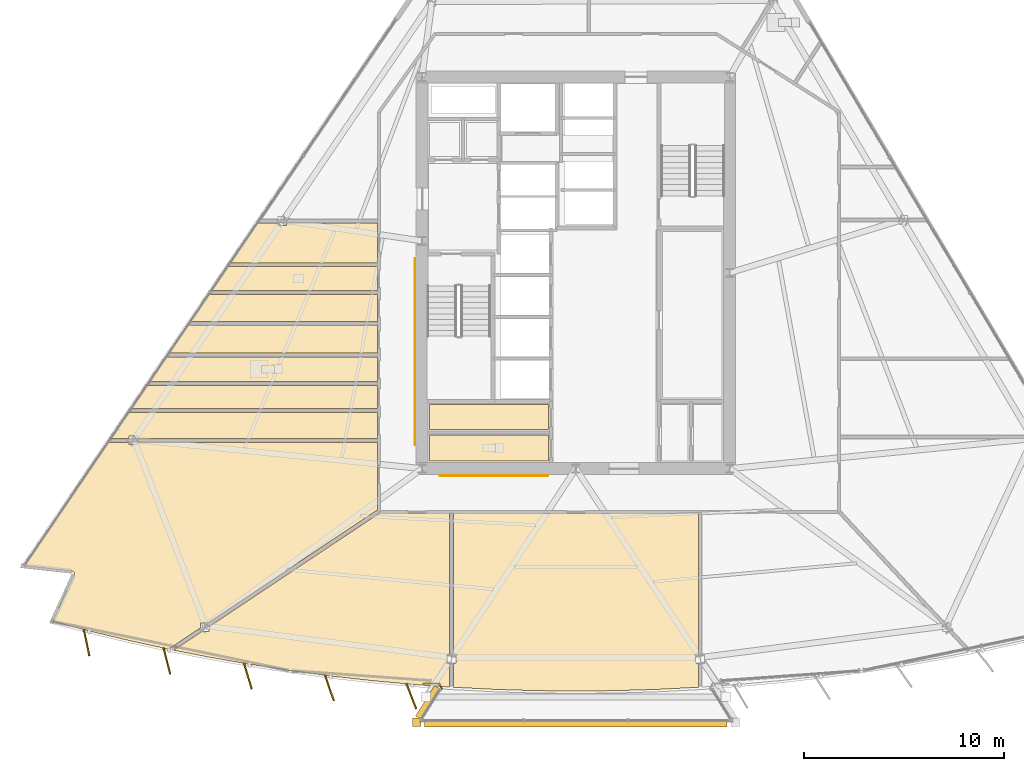
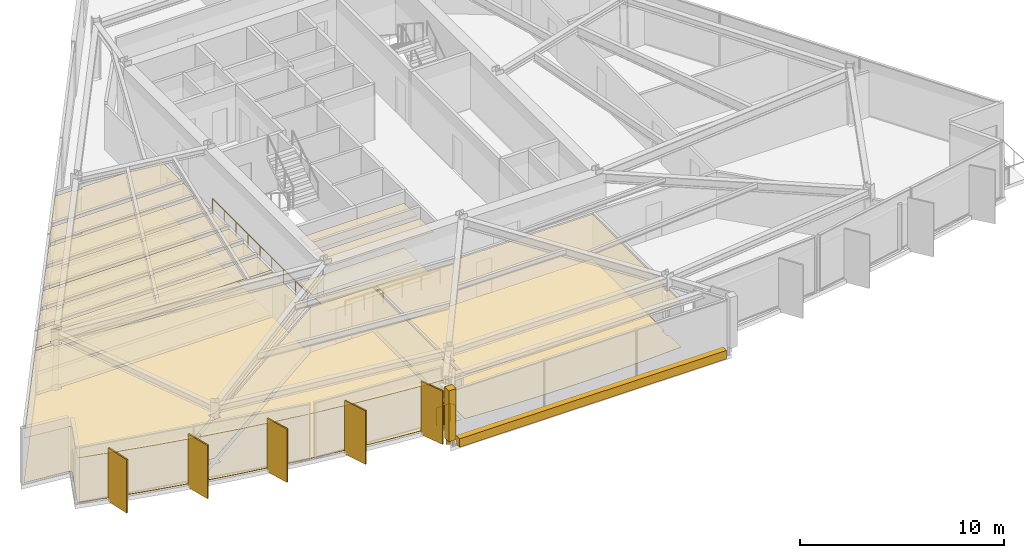
# One storey, part 11 of 15: 27 coverings, 5 shading devices, 3 railings.
"""IFC4 building model written with IfcOpenShell, lengths in metres."""

from ifc_helpers import new_model, si_unit, direction, frame, origin, origin_2d, place, context, subcontext, project, spatial, polyline, rectangle, circle, outline, extrude, material, layer, layer_set, type_object, element, save


model = new_model("IFC4")

# Units and contexts
model_context = context("Model", 3, precision=1e-05, world=origin(), true_north=direction((0.0, 1.0)))
body_context = subcontext(model_context, "Body", "Model", "MODEL_VIEW")
ifc_project = project(units=[si_unit("LENGTHUNIT", "METRE"), si_unit("AREAUNIT", "SQUARE_METRE"), si_unit("VOLUMEUNIT", "CUBIC_METRE"), si_unit("PLANEANGLEUNIT", "RADIAN"), si_unit("MASSUNIT", "GRAM", prefix="KILO")], contexts=[model_context])

# Site, building, storey
site_placement = place(None, origin())
site = spatial("IfcSite", under=ifc_project, at=site_placement, CompositionType="ELEMENT")
building_placement = place(site_placement, origin())
building = spatial("IfcBuilding", under=site, at=building_placement, Name="Savorim Split Tower", CompositionType="ELEMENT")
storey_placement = place(building_placement, frame((0.0, 0.0, 114.89990234375)))
storey = spatial("IfcBuildingStorey", under=building, at=storey_placement, Name="L30", CompositionType="ELEMENT", Elevation=114.89990234375)

# Coverings
ifc_material_1 = material(Name="Mineral Fibre Acoustic Ceiling")
ifc_layer_1 = layer(ifc_material_1, 0.02490234375)
ifc_layer_set_1 = layer_set([ifc_layer_1], Name="COV-CEIL-25")
covering_type_1 = type_object("IfcCoveringType", Name="COV-CEIL-25", PredefinedType="CEILING", material=ifc_layer_set_1)
covering_1_placement = place(storey_placement, frame((0.0, 0.0, 2.670166015625)))
element("IfcCovering", 1, at=covering_1_placement, inside=storey, type_object=covering_type_1, Name="L30 Cleaning Store Acoustic Ceiling", PredefinedType="CEILING", context=body_context, shape_type="SweptSolid", body=[
    extrude(outline(polyline([(-7.320068359375, -6.179931640625), (-7.320068359375, -7.43994140625), (-1.3798828125, -7.43994140625), (-1.3798828125, -6.179931640625), (-7.320068359375, -6.179931640625)])), origin(), (0.0, 0.0, 1.0), 0.02490234375),
])
covering_2_placement = place(storey_placement, frame((0.0, 0.0, 2.670166015625)))
element("IfcCovering", 2, at=covering_2_placement, inside=storey, type_object=covering_type_1, Name="L30 Public WC Acoustic Ceiling", PredefinedType="CEILING", context=body_context, shape_type="SweptSolid", body=[
    extrude(outline(polyline([(-7.320068359375, -7.719970703125), (-7.320068359375, -9.02001953125), (-1.3798828125, -9.02001953125), (-1.3798828125, -7.719970703125), (-7.320068359375, -7.719970703125)])), origin(), (0.0, 0.0, 1.0), 0.02490234375),
])
covering_3_placement = place(storey_placement, frame((0.0, 0.0, 2.670166015625)))
element("IfcCovering", 3, at=covering_3_placement, inside=storey, type_object=covering_type_1, Name="L30 Shared Kitchen Acoustic Ceiling", PredefinedType="CEILING", context=body_context, shape_type="SweptSolid", body=[
    extrude(outline(polyline([(-17.422607421875, 0.703369140625), (-18.23974609375, -0.49755859375), (-9.919921875, -0.49755859375), (-9.919921875, 0.703369140625), (-17.422607421875, 0.703369140625)])), origin(), (0.0, 0.0, 1.0), 0.02490234375),
])
covering_4_placement = place(storey_placement, frame((0.0, 0.0, 2.670166015625)))
element("IfcCovering", 4, at=covering_4_placement, inside=storey, type_object=covering_type_1, Name="L30 Maker Workshop Acoustic Ceiling", PredefinedType="CEILING", context=body_context, shape_type="SweptSolid", body=[
    extrude(outline(polyline([(-18.368896484375, -0.6875), (-19.285400390625, -2.034912109375), (-9.919921875, -2.034912109375), (-9.919921875, -0.6875), (-18.368896484375, -0.6875)])), origin(), (0.0, 0.0, 1.0), 0.02490234375),
])
covering_5_placement = place(storey_placement, frame((0.0, 0.0, 2.670166015625)))
element("IfcCovering", 5, at=covering_5_placement, inside=storey, type_object=covering_type_1, Name="L30 Quiet Study Room Acoustic Ceiling", PredefinedType="CEILING", context=body_context, shape_type="SweptSolid", body=[
    extrude(outline(polyline([(-19.414794921875, -2.224853515625), (-20.3583984375, -3.612060546875), (-9.919921875, -3.612060546875), (-9.919921875, -2.224853515625), (-19.414794921875, -2.224853515625)])), origin(), (0.0, 0.0, 1.0), 0.02490234375),
])
covering_6_placement = place(storey_placement, frame((0.0, 0.0, 2.670166015625)))
element("IfcCovering", 6, at=covering_6_placement, inside=storey, type_object=covering_type_1, Name="L30 Shared Bathroom Acoustic Ceiling", PredefinedType="CEILING", context=body_context, shape_type="SweptSolid", body=[
    extrude(outline(polyline([(-20.487548828125, -3.802001953125), (-21.32861328125, -5.038330078125), (-9.919921875, -5.038330078125), (-9.919921875, -3.802001953125), (-20.487548828125, -3.802001953125)])), origin(), (0.0, 0.0, 1.0), 0.02490234375),
])
covering_7_placement = place(storey_placement, frame((0.0, 0.0, 2.670166015625)))
element("IfcCovering", 7, at=covering_7_placement, inside=storey, type_object=covering_type_1, Name="L30 Maker Workshop Acoustic Ceiling", PredefinedType="CEILING", context=body_context, shape_type="SweptSolid", body=[
    extrude(outline(polyline([(-21.4580078125, -5.228515625), (-22.249267578125, -6.3916015625), (-9.919921875, -6.3916015625), (-9.919921875, -5.228515625), (-21.4580078125, -5.228515625)])), origin(), (0.0, 0.0, 1.0), 0.02490234375),
])
covering_8_placement = place(storey_placement, frame((0.0, 0.0, 2.670166015625)))
element("IfcCovering", 8, at=covering_8_placement, inside=storey, type_object=covering_type_1, Name="L30 Quiet Study Room Acoustic Ceiling", PredefinedType="CEILING", context=body_context, shape_type="SweptSolid", body=[
    extrude(outline(polyline([(-21.944091796875, -7.768310546875), (-21.944091796875, -7.891357421875), (-9.919921875, -7.891357421875), (-9.919921875, -6.581787109375), (-22.378662109375, -6.581787109375), (-23.26953125, -7.891357421875), (-22.3701171875, -7.891357421875), (-22.3701171875, -7.768310546875), (-21.944091796875, -7.768310546875)])), origin(), (0.0, 0.0, 1.0), 0.02490234375),
])
covering_9_placement = place(storey_placement, frame((0.0, 0.0, 2.670166015625)))
element("IfcCovering", 9, at=covering_9_placement, inside=storey, type_object=covering_type_1, Name="L30 Maker Workshop Acoustic Ceiling", PredefinedType="CEILING", context=body_context, shape_type="SweptSolid", body=[
    extrude(outline(polyline([(-25.099609375, -14.64453125), (-25.099365234375, -14.656494140625), (-25.100341796875, -14.66845703125), (-25.1025390625, -14.68017578125), (-25.105712890625, -14.691650390625), (-25.1103515625, -14.70263671875), (-26.186279296875, -17.044921875), (-24.34130859375, -17.52734375), (-22.348876953125, -18.005126953125), (-20.34716796875, -18.44189453125), (-20.287841796875, -18.45361328125), (-20.327392578125, -18.39453125), (-18.777099609375, -17.361572265625), (-18.777099609375, -17.11572265625), (-18.408203125, -17.11572265625), (-9.948974609375, -11.478515625), (-9.919921875, -11.459228515625), (-9.919921875, -8.081298828125), (-21.944091796875, -8.081298828125), (-21.944091796875, -8.204345703125), (-22.3701171875, -8.204345703125), (-22.3701171875, -8.081298828125), (-23.273681640625, -8.081298828125), (-23.36865234375, -8.081298828125), (-23.36865234375, -8.037109375), (-27.605712890625, -14.265380859375), (-25.2060546875, -14.533203125), (-25.194091796875, -14.535400390625), (-25.1826171875, -14.538330078125), (-25.17138671875, -14.54248046875), (-25.160888671875, -14.5478515625), (-25.150634765625, -14.55419921875), (-25.141357421875, -14.561279296875), (-25.132568359375, -14.569580078125), (-25.124755859375, -14.57861328125), (-25.117919921875, -14.58837890625), (-25.112060546875, -14.598876953125), (-25.107177734375, -14.609619140625), (-25.103515625, -14.62109375), (-25.10107421875, -14.6328125), (-25.099609375, -14.64453125)])), origin(), (0.0, 0.0, 1.0), 0.02490234375),
])
covering_10_placement = place(storey_placement, frame((0.0, 0.0, 2.670166015625)))
element("IfcCovering", 10, at=covering_10_placement, inside=storey, type_object=covering_type_1, Name="L30 Maker Workshop Acoustic Ceiling", PredefinedType="CEILING", context=body_context, shape_type="SweptSolid", body=[
    extrude(outline(polyline([(-14.2939453125, -19.505615234375), (-12.262939453125, -19.77734375), (-10.22705078125, -20.007568359375), (-8.186767578125, -20.196044921875), (-6.31689453125, -20.330078125), (-6.31689453125, -19.136474609375), (-6.434814453125, -19.136474609375), (-6.434814453125, -18.700439453125), (-6.31689453125, -18.700439453125), (-6.31689453125, -11.6201171875), (-9.780029296875, -11.6201171875), (-9.793701171875, -11.619384765625), (-9.807373046875, -11.6171875), (-9.8125, -11.615966796875), (-18.35107421875, -17.305908203125), (-18.35107421875, -17.5517578125), (-18.719970703125, -17.5517578125), (-20.122314453125, -18.486328125), (-18.336669921875, -18.837890625), (-16.318603515625, -19.1923828125), (-14.2939453125, -19.505615234375)])), origin(), (0.0, 0.0, 1.0), 0.02490234375),
])
covering_11_placement = place(storey_placement, frame((0.0, 0.0, 2.670166015625)))
element("IfcCovering", 11, at=covering_11_placement, inside=storey, type_object=covering_type_1, Name="L30 Maker Workshop Acoustic Ceiling", PredefinedType="CEILING", context=body_context, shape_type="SweptSolid", body=[
    extrude(outline(polyline([(-2.048828125, -20.51025390625), (0.0, -20.53125), (2.048828125, -20.51025390625), (4.0966796875, -20.447509765625), (6.126708984375, -20.343505859375), (6.126708984375, -19.136474609375), (6.0087890625, -19.136474609375), (6.0087890625, -18.700439453125), (6.126708984375, -18.700439453125), (6.126708984375, -11.6201171875), (-6.126708984375, -11.6201171875), (-6.126708984375, -18.700439453125), (-6.0087890625, -18.700439453125), (-6.0087890625, -19.136474609375), (-6.126708984375, -19.136474609375), (-6.126708984375, -20.286865234375), (-6.126708984375, -20.343505859375), (-4.0966796875, -20.447509765625), (-2.048828125, -20.51025390625)])), origin(), (0.0, 0.0, 1.0), 0.02490234375),
])
covering_12_placement = place(storey_placement, frame((0.0, 0.0, 2.670166015625)))
element("IfcCovering", 12, at=covering_12_placement, inside=storey, type_object=covering_type_1, Name="L30 Maker Workshop Acoustic Ceiling", PredefinedType="CEILING", context=body_context, shape_type="SweptSolid", body=[
    extrude(outline(polyline([(-14.8994140625, 2.900390625), (-15.802978515625, 2.900390625), (-15.89794921875, 2.900390625), (-15.89794921875, 2.944580078125), (-17.29345703125, 0.893310546875), (-9.919921875, 0.893310546875), (-9.919921875, 2.900390625), (-14.473388671875, 2.900390625), (-14.473388671875, 2.77734375), (-14.8994140625, 2.77734375), (-14.8994140625, 2.900390625)])), origin(), (0.0, 0.0, 1.0), 0.02490234375),
])
ifc_material_2 = material(Name="Porcelain Stoneware Flooring", Category="masonry")
ifc_layer_2 = layer(ifc_material_2, 0.02001953125)
ifc_layer_set_2 = layer_set([ifc_layer_2], Name="COV-FLOR-20")
covering_type_2 = type_object("IfcCoveringType", Name="COV-FLOR-20", PredefinedType="FLOORING", material=ifc_layer_set_2)
covering_13_placement = place(storey_placement, origin())
element("IfcCovering", 13, at=covering_13_placement, inside=storey, type_object=covering_type_2, Name="L30 Cleaning Store Porcelain Flooring", PredefinedType="FLOORING", context=body_context, shape_type="SweptSolid", body=[
    extrude(outline(polyline([(-7.320068359375, -6.179931640625), (-7.320068359375, -7.43994140625), (-1.3798828125, -7.43994140625), (-1.3798828125, -6.179931640625), (-7.320068359375, -6.179931640625)])), origin(), (0.0, 0.0, 1.0), 0.02001953125),
])
covering_14_placement = place(storey_placement, origin())
element("IfcCovering", 14, at=covering_14_placement, inside=storey, type_object=covering_type_2, Name="L30 Public WC Porcelain Flooring", PredefinedType="FLOORING", context=body_context, shape_type="SweptSolid", body=[
    extrude(outline(polyline([(-7.320068359375, -7.719970703125), (-7.320068359375, -9.02001953125), (-1.3798828125, -9.02001953125), (-1.3798828125, -7.719970703125), (-7.320068359375, -7.719970703125)])), origin(), (0.0, 0.0, 1.0), 0.02001953125),
])
covering_15_placement = place(storey_placement, origin())
element("IfcCovering", 15, at=covering_15_placement, inside=storey, type_object=covering_type_2, Name="L30 Shared Kitchen Porcelain Flooring", PredefinedType="FLOORING", context=body_context, shape_type="SweptSolid", body=[
    extrude(outline(polyline([(-17.422607421875, 0.703369140625), (-18.23974609375, -0.49755859375), (-9.919921875, -0.49755859375), (-9.919921875, 0.703369140625), (-17.422607421875, 0.703369140625)])), origin(), (0.0, 0.0, 1.0), 0.02001953125),
])
covering_16_placement = place(storey_placement, origin())
element("IfcCovering", 16, at=covering_16_placement, inside=storey, type_object=covering_type_2, Name="L30 Maker Workshop Porcelain Flooring", PredefinedType="FLOORING", context=body_context, shape_type="SweptSolid", body=[
    extrude(outline(polyline([(-18.368896484375, -0.6875), (-19.285400390625, -2.034912109375), (-9.919921875, -2.034912109375), (-9.919921875, -0.6875), (-18.368896484375, -0.6875)])), origin(), (0.0, 0.0, 1.0), 0.02001953125),
])
covering_17_placement = place(storey_placement, origin())
element("IfcCovering", 17, at=covering_17_placement, inside=storey, type_object=covering_type_2, Name="L30 Quiet Study Room Porcelain Flooring", PredefinedType="FLOORING", context=body_context, shape_type="SweptSolid", body=[
    extrude(outline(polyline([(-19.414794921875, -2.224853515625), (-20.3583984375, -3.612060546875), (-9.919921875, -3.612060546875), (-9.919921875, -2.224853515625), (-19.414794921875, -2.224853515625)])), origin(), (0.0, 0.0, 1.0), 0.02001953125),
])
covering_18_placement = place(storey_placement, origin())
element("IfcCovering", 18, at=covering_18_placement, inside=storey, type_object=covering_type_2, Name="L30 Shared Bathroom Porcelain Flooring", PredefinedType="FLOORING", context=body_context, shape_type="SweptSolid", body=[
    extrude(outline(polyline([(-20.487548828125, -3.802001953125), (-21.32861328125, -5.038330078125), (-9.919921875, -5.038330078125), (-9.919921875, -3.802001953125), (-20.487548828125, -3.802001953125)])), origin(), (0.0, 0.0, 1.0), 0.02001953125),
])
covering_19_placement = place(storey_placement, origin())
element("IfcCovering", 19, at=covering_19_placement, inside=storey, type_object=covering_type_2, Name="L30 Maker Workshop Porcelain Flooring", PredefinedType="FLOORING", context=body_context, shape_type="SweptSolid", body=[
    extrude(outline(polyline([(-21.4580078125, -5.228515625), (-22.249267578125, -6.3916015625), (-9.919921875, -6.3916015625), (-9.919921875, -5.228515625), (-21.4580078125, -5.228515625)])), origin(), (0.0, 0.0, 1.0), 0.02001953125),
])
covering_20_placement = place(storey_placement, origin())
element("IfcCovering", 20, at=covering_20_placement, inside=storey, type_object=covering_type_2, Name="L30 Quiet Study Room Porcelain Flooring", PredefinedType="FLOORING", context=body_context, shape_type="SweptSolid", body=[
    extrude(outline(polyline([(-21.944091796875, -7.768310546875), (-21.944091796875, -7.891357421875), (-9.919921875, -7.891357421875), (-9.919921875, -6.581787109375), (-22.378662109375, -6.581787109375), (-23.26953125, -7.891357421875), (-22.3701171875, -7.891357421875), (-22.3701171875, -7.768310546875), (-21.944091796875, -7.768310546875)])), origin(), (0.0, 0.0, 1.0), 0.02001953125),
])
covering_21_placement = place(storey_placement, origin())
element("IfcCovering", 21, at=covering_21_placement, inside=storey, type_object=covering_type_2, Name="L30 Maker Workshop Porcelain Flooring", PredefinedType="FLOORING", context=body_context, shape_type="SweptSolid", body=[
    extrude(outline(polyline([(-25.099609375, -14.64453125), (-25.099365234375, -14.656494140625), (-25.100341796875, -14.66845703125), (-25.1025390625, -14.68017578125), (-25.105712890625, -14.691650390625), (-25.1103515625, -14.70263671875), (-26.186279296875, -17.044921875), (-24.34130859375, -17.52734375), (-22.348876953125, -18.005126953125), (-20.34716796875, -18.44189453125), (-20.287841796875, -18.45361328125), (-20.327392578125, -18.39453125), (-18.777099609375, -17.361572265625), (-18.777099609375, -17.11572265625), (-18.408203125, -17.11572265625), (-9.948974609375, -11.478515625), (-9.919921875, -11.459228515625), (-9.919921875, -8.081298828125), (-21.944091796875, -8.081298828125), (-21.944091796875, -8.204345703125), (-22.3701171875, -8.204345703125), (-22.3701171875, -8.081298828125), (-23.273681640625, -8.081298828125), (-23.36865234375, -8.081298828125), (-23.36865234375, -8.037109375), (-27.605712890625, -14.265380859375), (-25.2060546875, -14.533203125), (-25.194091796875, -14.535400390625), (-25.1826171875, -14.538330078125), (-25.17138671875, -14.54248046875), (-25.160888671875, -14.5478515625), (-25.150634765625, -14.55419921875), (-25.141357421875, -14.561279296875), (-25.132568359375, -14.569580078125), (-25.124755859375, -14.57861328125), (-25.117919921875, -14.58837890625), (-25.112060546875, -14.598876953125), (-25.107177734375, -14.609619140625), (-25.103515625, -14.62109375), (-25.10107421875, -14.6328125), (-25.099609375, -14.64453125)])), origin(), (0.0, 0.0, 1.0), 0.02001953125),
])
covering_22_placement = place(storey_placement, origin())
element("IfcCovering", 22, at=covering_22_placement, inside=storey, type_object=covering_type_2, Name="L30 Maker Workshop Porcelain Flooring", PredefinedType="FLOORING", context=body_context, shape_type="SweptSolid", body=[
    extrude(outline(polyline([(-14.2939453125, -19.505615234375), (-12.262939453125, -19.77734375), (-10.22705078125, -20.007568359375), (-8.186767578125, -20.196044921875), (-6.31689453125, -20.330078125), (-6.31689453125, -19.136474609375), (-6.434814453125, -19.136474609375), (-6.434814453125, -18.700439453125), (-6.31689453125, -18.700439453125), (-6.31689453125, -11.6201171875), (-9.780029296875, -11.6201171875), (-9.793701171875, -11.619384765625), (-9.807373046875, -11.6171875), (-9.8125, -11.615966796875), (-18.35107421875, -17.305908203125), (-18.35107421875, -17.5517578125), (-18.719970703125, -17.5517578125), (-20.122314453125, -18.486328125), (-18.336669921875, -18.837890625), (-16.318603515625, -19.1923828125), (-14.2939453125, -19.505615234375)])), origin(), (0.0, 0.0, 1.0), 0.02001953125),
])
covering_23_placement = place(storey_placement, origin())
element("IfcCovering", 23, at=covering_23_placement, inside=storey, type_object=covering_type_2, Name="L30 Maker Workshop Porcelain Flooring", PredefinedType="FLOORING", context=body_context, shape_type="SweptSolid", body=[
    extrude(outline(polyline([(-2.048828125, -20.51025390625), (0.0, -20.53125), (2.048828125, -20.51025390625), (4.0966796875, -20.447509765625), (6.126708984375, -20.343505859375), (6.126708984375, -19.136474609375), (6.0087890625, -19.136474609375), (6.0087890625, -18.700439453125), (6.126708984375, -18.700439453125), (6.126708984375, -11.6201171875), (-6.126708984375, -11.6201171875), (-6.126708984375, -18.700439453125), (-6.0087890625, -18.700439453125), (-6.0087890625, -19.136474609375), (-6.126708984375, -19.136474609375), (-6.126708984375, -20.286865234375), (-6.126708984375, -20.343505859375), (-4.0966796875, -20.447509765625), (-2.048828125, -20.51025390625)])), origin(), (0.0, 0.0, 1.0), 0.02001953125),
])
covering_24_placement = place(storey_placement, origin())
element("IfcCovering", 24, at=covering_24_placement, inside=storey, type_object=covering_type_2, Name="L30 Maker Workshop Porcelain Flooring", PredefinedType="FLOORING", context=body_context, shape_type="SweptSolid", body=[
    extrude(outline(polyline([(-14.8994140625, 2.900390625), (-15.802978515625, 2.900390625), (-15.89794921875, 2.900390625), (-15.89794921875, 2.944580078125), (-17.29345703125, 0.893310546875), (-9.919921875, 0.893310546875), (-9.919921875, 2.900390625), (-14.473388671875, 2.900390625), (-14.473388671875, 2.77734375), (-14.8994140625, 2.77734375), (-14.8994140625, 2.900390625)])), origin(), (0.0, 0.0, 1.0), 0.02001953125),
])
ifc_material_3 = material(Name="White Porcelain Architectural Cladding")
ifc_layer_3 = layer(ifc_material_3, 0.139892578125)
ifc_layer_set_3 = layer_set([ifc_layer_3], Name="COV-FRM-WHITE")
covering_type_3 = type_object("IfcCoveringType", Name="COV-FRM-WHITE", PredefinedType="CLADDING", material=ifc_layer_set_3)
covering_25_placement = place(storey_placement, frame((0.0, 0.0, 0.010009765625)))
element("IfcCovering", 25, at=covering_25_placement, inside=storey, type_object=covering_type_3, Name="L30 Cantilevered Lounge White Lower Frame Band W", PredefinedType="CLADDING", context=body_context, shape_type="SweptSolid", body=[
    extrude(outline(polyline([(-7.0693359375, -20.25439453125), (-8.02587890625, -21.779296875), (-7.73779296875, -21.9599609375), (-6.78125, -20.435302734375), (-7.0693359375, -20.25439453125)])), origin(), (0.0, 0.0, 1.0), 0.510009765625),
])
covering_26_placement = place(storey_placement, frame((0.0, 0.0, 0.010009765625)))
element("IfcCovering", 26, at=covering_26_placement, inside=storey, type_object=covering_type_3, Name="L30 Cantilevered Lounge White Lower Frame Band F", PredefinedType="CLADDING", context=body_context, shape_type="SweptSolid", body=[
    extrude(outline(polyline([(-7.56689453125, -22.319580078125), (7.56689453125, -22.319580078125), (7.56689453125, -21.9794921875), (-7.56689453125, -21.9794921875), (-7.56689453125, -22.319580078125)])), origin(), (0.0, 0.0, 1.0), 0.510009765625),
])
covering_27_placement = place(storey_placement, frame((0.0, 0.0, 0.5400390625)))
element("IfcCovering", 27, at=covering_27_placement, inside=storey, type_object=covering_type_3, Name="L30 Cantilevered Lounge White Frame Corner Post 1", PredefinedType="CLADDING", context=body_context, shape_type="SweptSolid", body=[
    extrude(outline(polyline([(-8.177001953125, -22.3095703125), (-7.757080078125, -22.3095703125), (-7.757080078125, -21.889404296875), (-8.177001953125, -21.889404296875), (-8.177001953125, -22.3095703125)])), origin(), (0.0, 0.0, 1.0), 3.050048828125),
])

# Railings
ifc_material_4 = material(Name="Galvanised Painted Steel Balustrade", Category="steel")
railing_type_1 = type_object("IfcRailingType", Name="RLG-BAL-1100", PredefinedType="BALUSTRADE", material=ifc_material_4)
railing_1_placement = place(storey_placement, frame((-7.620361328125, -20.153564453125, 0.0)))
element("IfcRailing", 28, at=railing_1_placement, inside=storey, type_object=railing_type_1, Name="L30 Cantilevered Lounge West Edge Closure Guard", PredefinedType="BALUSTRADE", context=body_context, shape_type="SweptSolid", body=[
    extrude(circle(Radius=0.02392578125, at=origin_2d()), frame((0.0, 0.0, 1.076171875), z_axis=(1.0, 0.0, 0.0), x_axis=(0.0, 1.0, 0.0)), (0.0, 0.0, 1.0), 0.780029296875),
    extrude(circle(Radius=0.02392578125, at=origin_2d()), frame((0.780029296875, 0.0, 1.076171875), z_axis=(0.464364723977, -0.885644061193, 0.0), x_axis=(0.885644061193, 0.464364723977, 0.0)), (0.0, 0.0, 1.0), 0.305908203125),
    extrude(circle(Radius=0.02099609375, at=origin_2d()), origin(), (0.0, 0.0, 1.0), 1.052001953125),
    extrude(circle(Radius=0.02099609375, at=origin_2d()), frame((0.780029296875, 0.0, 0.0)), (0.0, 0.0, 1.0), 1.052001953125),
    extrude(circle(Radius=0.02099609375, at=origin_2d()), frame((0.922119140625, -0.27099609375, 0.0)), (0.0, 0.0, 1.0), 1.052001953125),
])
railing_type_2 = type_object("IfcRailingType", Name="RLG-HR-900", PredefinedType="HANDRAIL", material=ifc_material_4)
railing_2_placement = place(storey_placement, frame((-6.800048828125, -9.75, 0.0)))
element("IfcRailing", 29, at=railing_2_placement, inside=storey, type_object=railing_type_2, Name="L30 Corridor South Accessible Handrail", PredefinedType="HANDRAIL", context=body_context, shape_type="SweptSolid", body=[
    extrude(circle(Radius=0.02392578125, at=origin_2d()), frame((0.0, 0.0, 0.8759765625), z_axis=(1.0, 0.0, 0.0), x_axis=(0.0, 1.0, 0.0)), (0.0, 0.0, 1.0), 5.400146484375),
    extrude(circle(Radius=0.02099609375, at=origin_2d()), origin(), (0.0, 0.0, 1.0), 0.851806640625),
    extrude(circle(Radius=0.02099609375, at=origin_2d()), frame((1.080078125, 0.0, 0.0)), (0.0, 0.0, 1.0), 0.851806640625),
    extrude(circle(Radius=0.02099609375, at=origin_2d()), frame((2.16015625, 0.0, 0.0)), (0.0, 0.0, 1.0), 0.851806640625),
    extrude(circle(Radius=0.02099609375, at=origin_2d()), frame((3.239990234375, 0.0, 0.0)), (0.0, 0.0, 1.0), 0.851806640625),
    extrude(circle(Radius=0.02099609375, at=origin_2d()), frame((4.320068359375, 0.0, 0.0)), (0.0, 0.0, 1.0), 0.851806640625),
    extrude(circle(Radius=0.02099609375, at=origin_2d()), frame((5.400146484375, 0.0, 0.0)), (0.0, 0.0, 1.0), 0.851806640625),
])
railing_3_placement = place(storey_placement, frame((-8.050048828125, -8.199951171875, 0.0)))
element("IfcRailing", 30, at=railing_3_placement, inside=storey, type_object=railing_type_2, Name="L30 Corridor West Accessible Handrail", PredefinedType="HANDRAIL", context=body_context, shape_type="SweptSolid", body=[
    extrude(circle(Radius=0.02392578125, at=origin_2d()), frame((0.0, 0.0, 0.8759765625), z_axis=(0.0, 1.0, 0.0), x_axis=(-1.0, 0.0, 0.0)), (0.0, 0.0, 1.0), 9.300048828125),
    extrude(circle(Radius=0.02099609375, at=origin_2d()), origin(), (0.0, 0.0, 1.0), 0.851806640625),
    extrude(circle(Radius=0.02099609375, at=origin_2d()), frame((0.0, 1.16259765625, 0.0)), (0.0, 0.0, 1.0), 0.851806640625),
    extrude(circle(Radius=0.02099609375, at=origin_2d()), frame((0.0, 2.324951171875, 0.0)), (0.0, 0.0, 1.0), 0.851806640625),
    extrude(circle(Radius=0.02099609375, at=origin_2d()), frame((0.0, 3.487548828125, 0.0)), (0.0, 0.0, 1.0), 0.851806640625),
    extrude(circle(Radius=0.02099609375, at=origin_2d()), frame((0.0, 4.64990234375, 0.0)), (0.0, 0.0, 1.0), 0.851806640625),
    extrude(circle(Radius=0.02099609375, at=origin_2d()), frame((0.0, 5.8125, 0.0)), (0.0, 0.0, 1.0), 0.851806640625),
    extrude(circle(Radius=0.02099609375, at=origin_2d()), frame((0.0, 6.97509765625, 0.0)), (0.0, 0.0, 1.0), 0.851806640625),
    extrude(circle(Radius=0.02099609375, at=origin_2d()), frame((0.0, 8.137451171875, 0.0)), (0.0, 0.0, 1.0), 0.851806640625),
    extrude(circle(Radius=0.02099609375, at=origin_2d()), frame((0.0, 9.300048828125, 0.0)), (0.0, 0.0, 1.0), 0.851806640625),
])

# Shading devices
ifc_material_5 = material(Name="Terracotta Ceramic-Coated Aluminium Fin", Category="masonry")
shading_device_type = type_object("IfcShadingDeviceType", Name="SHD-FIN-1360", PredefinedType="USERDEFINED", material=ifc_material_5)
for number, where, z_axis, x_axis, name in (
    (31, (-24.486328125, -18.105712890625, -0.19970703125), (0.0, 0.0, 1.0), (0.206721626106, -0.978399800337, 0.0), "L30 Sawtooth Shading Fin 01"),
    (32, (-20.46826171875, -19.025634765625, -0.19970703125), (0.0, 0.0, 1.0), (0.246581250663, -0.969122121727, 0.0), "L30 Sawtooth Shading Fin 02"),
    (33, (-16.415771484375, -19.780517578125, -0.19970703125), (0.0, 0.0, 1.0), (0.286026212504, -0.958221793616, 0.0), "L30 Sawtooth Shading Fin 03"),
    (34, (-12.3359375, -20.368896484375, -0.19970703125), (0.0, 0.0, 1.0), (0.324993810493, -0.945716143005, 0.0), "L30 Sawtooth Shading Fin 04"),
    (35, (-8.235595703125, -20.7900390625, -0.19970703125), (0.0, 0.0, 1.0), (0.363415461732, -0.931627179817, 0.0), "L30 Sawtooth Shading Fin 05"),
):
    element("IfcShadingDevice", number, at=place(storey_placement, frame(where, z_axis=z_axis, x_axis=x_axis)), inside=storey, type_object=shading_device_type, Name=name, ObjectType="FIN", PredefinedType="USERDEFINED", context=body_context, shape_type="SweptSolid", body=[
        extrude(rectangle(XDim=1.360107421875, YDim=0.080078125, at=origin_2d()), origin(), (0.0, 0.0, 1.0), 3.199951171875),
    ])

save(model, "model.ifc")
